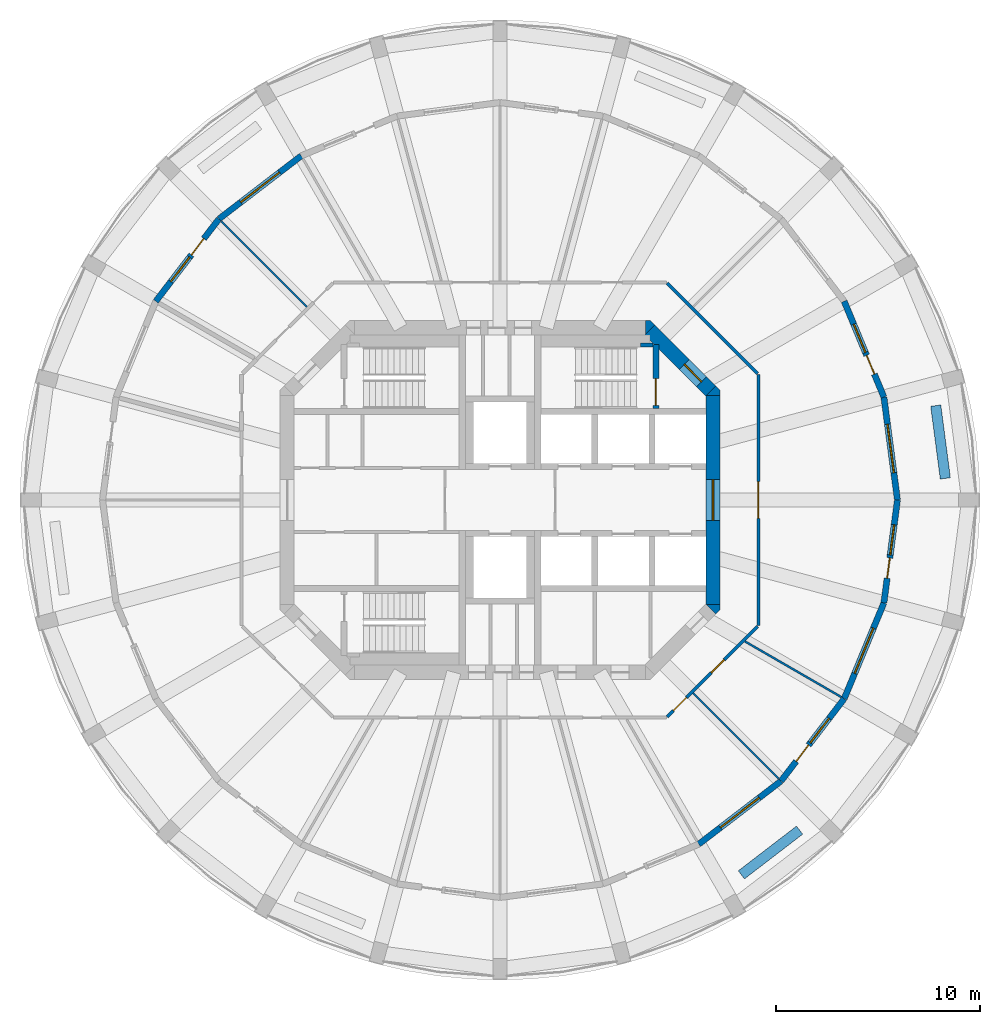
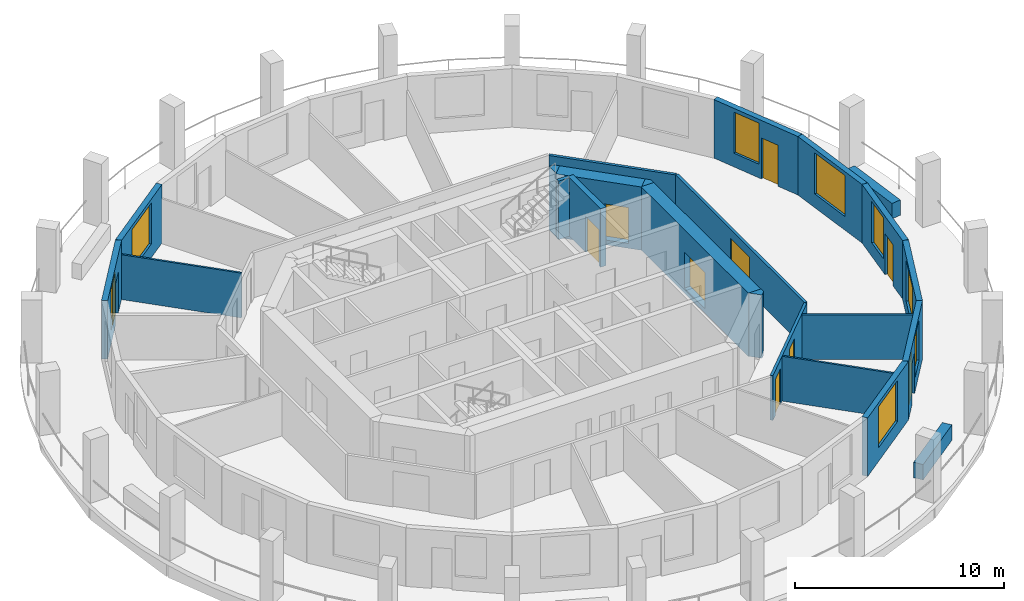
# One storey, part 5 of 8: 23 walls, 10 doors, 8 windows, 18 openings.
"""IFC4 building model written with IfcOpenShell, lengths in metres."""

from ifc_helpers import new_model, si_unit, direction, frame, frame_2d, origin, place, context, subcontext, project, spatial, polyline, rectangle, outline, extrude, material, layer, layer_set, type_object, element, fill, save


model = new_model("IFC4")

# Units and contexts
model_context = context("Model", 3, precision=1e-05, world=origin(), true_north=direction((0.0, 1.0)))
body_context = subcontext(model_context, "Body", "Model", "MODEL_VIEW")
ifc_project = project(units=[si_unit("LENGTHUNIT", "METRE"), si_unit("AREAUNIT", "SQUARE_METRE"), si_unit("VOLUMEUNIT", "CUBIC_METRE"), si_unit("PLANEANGLEUNIT", "RADIAN"), si_unit("MASSUNIT", "GRAM", prefix="KILO")], contexts=[model_context])

# Site, building, storey
site_placement = place(None, origin())
site = spatial("IfcSite", under=ifc_project, at=site_placement, CompositionType="ELEMENT")
building_placement = place(site_placement, origin())
building = spatial("IfcBuilding", under=site, at=building_placement, Name="Torre Triforio", CompositionType="ELEMENT")
storey_placement = place(building_placement, frame((0.0, 0.0, 207.60009765625)))
storey = spatial("IfcBuildingStorey", under=building, at=storey_placement, Name="L47", CompositionType="ELEMENT", Elevation=207.60009765625)

# Wall, opening, door
ifc_material_1 = material(Name="Concrete C50", Category="concrete")
ifc_layer_1 = layer(ifc_material_1, 0.699951171875)
ifc_layer_set_1 = layer_set([ifc_layer_1], Name="Concrete C50")
wall_type_1 = type_object("IfcWallType", Name="Core wall 700 mm C50 EI 120", PredefinedType="SHEAR", material=ifc_layer_set_1)
wall_1_placement = place(storey_placement, frame((10.449951171875, -5.1298828125, -0.280029296875), z_axis=(0.0, 0.0, 1.0), x_axis=(0.0, 1.0, 0.0)))
wall_1 = element("IfcWall", 1, at=wall_1_placement, inside=storey, type_object=wall_type_1, Name="Core wall", PredefinedType="SHEAR", context=body_context, shape_type="SweptSolid", body=[
    extrude(rectangle(XDim=10.259765625, YDim=0.699951171875, at=frame_2d((5.1298828125, 0.0))), origin(), (0.0, 0.0, 1.0), 3.699951171875),
])
opening_1_placement = place(wall_1_placement, frame((4.1298828125, 0.0, 0.280029296875)))
opening_1 = element("IfcOpeningElement", 2, at=opening_1_placement, cuts=wall_1, Name="Opening E-RING", PredefinedType="OPENING", context=body_context, shape_type="SweptSolid", body=[
    extrude(rectangle(XDim=2.0, YDim=2.10009765625, at=frame_2d((1.0, 1.050048828125))), frame((0.0, 0.35986328125, 0.0), z_axis=(0.0, -1.0, 0.0), x_axis=(1.0, 0.0, 0.0)), (0.0, 0.0, 1.0), 0.719970703125),
])
ifc_material_2 = material(Name="Hollow metal fire door leaf")
door_type_1 = type_object("IfcDoorType", Name="Lobby door 2000 x 2100 EI 60", OperationType="DOUBLE_DOOR_SINGLE_SWING", PredefinedType="DOOR", material=ifc_material_2)
door_1_placement = place(opening_1_placement, origin())
door_1 = element("IfcDoor", 3, at=door_1_placement, inside=storey, type_object=door_type_1, Name="Core door E-RING", OperationType="DOUBLE_DOOR_SINGLE_SWING", OverallHeight=2.10009765625, OverallWidth=2.0, PredefinedType="DOOR", context=body_context, shape_type="SweptSolid", body=[
    extrude(rectangle(XDim=2.0, YDim=2.10009765625, at=frame_2d((1.0, 1.050048828125))), frame((0.0, 0.02490234375, 0.0), z_axis=(0.0, -1.0, 0.0), x_axis=(1.0, 0.0, 0.0)), (0.0, 0.0, 1.0), 0.050048828125),
])
fill(opening_1, door_1)

wall_2_placement = place(storey_placement, frame((7.347412109375, 8.347412109375, -0.280029296875), z_axis=(0.0, 0.0, 1.0), x_axis=(0.707106781187, -0.707106781187, 0.0)))
wall_2 = element("IfcWall", 4, at=wall_2_placement, inside=storey, type_object=wall_type_1, Name="Core wall", PredefinedType="SHEAR", context=body_context, shape_type="SweptSolid", body=[
    extrude(rectangle(XDim=4.24267578125, YDim=0.699951171875, at=frame_2d((2.121337890625, 0.0))), origin(), (0.0, 0.0, 1.0), 3.699951171875),
])
opening_2_placement = place(wall_2_placement, frame((2.392578125, 0.0, 0.280029296875)))
opening_2 = element("IfcOpeningElement", 5, at=opening_2_placement, cuts=wall_2, Name="Opening ST2-EXIT", PredefinedType="OPENING", context=body_context, shape_type="SweptSolid", body=[
    extrude(rectangle(XDim=1.199951171875, YDim=2.10009765625, at=frame_2d((0.60009765625, 1.050048828125))), frame((0.0, 0.35986328125, 0.0), z_axis=(0.0, -1.0, 0.0), x_axis=(1.0, 0.0, 0.0)), (0.0, 0.0, 1.0), 0.719970703125),
])
door_type_2 = type_object("IfcDoorType", Name="Stair lobby door 1200 x 2100 EI 60", OperationType="NOTDEFINED", PredefinedType="DOOR", material=ifc_material_2)
door_2_placement = place(opening_2_placement, origin())
door_2 = element("IfcDoor", 6, at=door_2_placement, inside=storey, type_object=door_type_2, Name="Core door ST2-EXIT", OperationType="SINGLE_SWING_RIGHT", OverallHeight=2.10009765625, OverallWidth=1.199951171875, PredefinedType="DOOR", context=body_context, shape_type="SweptSolid", body=[
    extrude(rectangle(XDim=1.199951171875, YDim=2.10009765625, at=frame_2d((0.60009765625, 1.050048828125))), frame((0.0, 0.02490234375, 0.0), z_axis=(0.0, -1.0, 0.0), x_axis=(1.0, 0.0, 0.0)), (0.0, 0.0, 1.0), 0.050048828125),
])
fill(opening_2, door_2)

# Walls
wall_3_placement = place(storey_placement, frame((0.0, 0.0, -0.280029296875)))
element("IfcWall", 7, at=wall_3_placement, inside=storey, type_object=wall_type_1, Name="Core wall", PredefinedType="SHEAR", context=body_context, shape_type="SweptSolid", body=[
    extrude(outline(polyline([(10.800048828125, -5.389892578125), (10.594970703125, -5.594970703125), (10.594970703125, -5.594970703125), (10.594970703125, -5.594970703125), (10.1298828125, -5.1298828125), (10.800048828125, -5.1298828125), (10.800048828125, -5.1298828125), (10.800048828125, -5.389892578125)])), origin(), (0.0, 0.0, 1.0), 3.699951171875),
])
wall_4_placement = place(storey_placement, frame((0.0, 0.0, -0.280029296875)))
element("IfcWall", 8, at=wall_4_placement, inside=storey, type_object=wall_type_1, Name="Core wall", PredefinedType="SHEAR", context=body_context, shape_type="SweptSolid", body=[
    extrude(outline(polyline([(10.800048828125, 5.389892578125), (10.800048828125, 5.1298828125), (10.800048828125, 5.1298828125), (10.1298828125, 5.1298828125), (10.594970703125, 5.594970703125), (10.594970703125, 5.594970703125), (10.594970703125, 5.594970703125), (10.800048828125, 5.389892578125)])), origin(), (0.0, 0.0, 1.0), 3.699951171875),
])
wall_5_placement = place(storey_placement, frame((0.0, 0.0, -0.280029296875)))
element("IfcWall", 9, at=wall_5_placement, inside=storey, type_object=wall_type_1, Name="Core wall", PredefinedType="SHEAR", context=body_context, shape_type="SweptSolid", body=[
    extrude(outline(polyline([(7.389892578125, 8.800048828125), (7.594970703125, 8.594970703125), (7.594970703125, 8.594970703125), (7.594970703125, 8.594970703125), (7.1298828125, 8.1298828125), (7.1298828125, 8.800048828125), (7.1298828125, 8.800048828125), (7.389892578125, 8.800048828125)])), origin(), (0.0, 0.0, 1.0), 3.699951171875),
])

# Wall, openings, doors
ifc_material_3 = material(Name="Plasterboard on metal studs")
ifc_layer_2 = layer(ifc_material_3, 0.14990234375)
ifc_layer_set_2 = layer_set([ifc_layer_2], Name="Plasterboard on metal studs")
wall_type_2 = type_object("IfcWallType", Name="Corridor and tenancy wall 150 mm EI 60", PredefinedType="PARTITIONING", material=ifc_layer_set_2)
wall_6_placement = place(storey_placement, frame((12.637939453125, -6.20361328125, 0.0), z_axis=(0.0, 0.0, 1.0), x_axis=(-0.707106781187, -0.707106781187, 0.0)))
wall_6 = element("IfcWall", 10, at=wall_6_placement, inside=storey, type_object=wall_type_2, Name="Partition 1", PredefinedType="PARTITIONING", context=body_context, shape_type="SweptSolid", body=[
    extrude(rectangle(XDim=6.27099609375, YDim=0.14990234375, at=frame_2d((3.135498046875, 0.0))), origin(), (0.0, 0.0, 1.0), 2.619873046875),
])
opening_3_placement = place(wall_6_placement, frame((4.935302734375, 0.0, 0.0)))
opening_3 = element("IfcOpeningElement", 11, at=opening_3_placement, cuts=wall_6, Name="Opening O5-06", PredefinedType="OPENING", context=body_context, shape_type="SweptSolid", body=[
    extrude(rectangle(XDim=0.89990234375, YDim=2.10009765625, at=frame_2d((0.449951171875, 1.050048828125))), frame((0.0, 0.0849609375, 0.0), z_axis=(0.0, -1.0, 0.0), x_axis=(1.0, 0.0, 0.0)), (0.0, 0.0, 1.0), 0.169921875),
])
opening_4_placement = place(wall_6_placement, frame((2.313720703125, 0.0, 0.0)))
opening_4 = element("IfcOpeningElement", 12, at=opening_4_placement, cuts=wall_6, Name="Opening O5-07", PredefinedType="OPENING", context=body_context, shape_type="SweptSolid", body=[
    extrude(rectangle(XDim=0.89990234375, YDim=2.10009765625, at=frame_2d((0.449951171875, 1.050048828125))), frame((0.0, 0.0849609375, 0.0), z_axis=(0.0, -1.0, 0.0), x_axis=(1.0, 0.0, 0.0)), (0.0, 0.0, 1.0), 0.169921875),
])
ifc_material_4 = material(Name="Timber", Category="wood")
door_type_3 = type_object("IfcDoorType", Name="Door 900 x 2100 single leaf EI 30", OperationType="NOTDEFINED", PredefinedType="DOOR", material=ifc_material_4)
door_3_placement = place(opening_3_placement, origin())
door_3 = element("IfcDoor", 13, at=door_3_placement, inside=storey, type_object=door_type_3, Name="Door O5-06", OperationType="SINGLE_SWING_RIGHT", OverallHeight=2.10009765625, OverallWidth=0.89990234375, PredefinedType="DOOR", context=body_context, shape_type="SweptSolid", body=[
    extrude(rectangle(XDim=0.89990234375, YDim=2.10009765625, at=frame_2d((0.449951171875, 1.050048828125))), frame((0.0, 0.02490234375, 0.0), z_axis=(0.0, -1.0, 0.0), x_axis=(1.0, 0.0, 0.0)), (0.0, 0.0, 1.0), 0.050048828125),
])
fill(opening_3, door_3)
door_4_placement = place(opening_4_placement, origin())
door_4 = element("IfcDoor", 14, at=door_4_placement, inside=storey, type_object=door_type_3, Name="Door O5-07", OperationType="SINGLE_SWING_LEFT", OverallHeight=2.10009765625, OverallWidth=0.89990234375, PredefinedType="DOOR", context=body_context, shape_type="SweptSolid", body=[
    extrude(rectangle(XDim=0.89990234375, YDim=2.10009765625, at=frame_2d((0.449951171875, 1.050048828125))), frame((0.0, 0.02490234375, 0.0), z_axis=(0.0, -1.0, 0.0), x_axis=(1.0, 0.0, 0.0)), (0.0, 0.0, 1.0), 0.050048828125),
])
fill(opening_4, door_4)

# Wall
wall_7_placement = place(storey_placement, frame((8.20361328125, 10.637939453125, 0.0), z_axis=(0.0, 0.0, 1.0), x_axis=(0.707106781187, -0.707106781187, 0.0)))
element("IfcWall", 15, at=wall_7_placement, inside=storey, type_object=wall_type_2, Name="Partition 9", PredefinedType="PARTITIONING", context=body_context, shape_type="SweptSolid", body=[
    extrude(rectangle(XDim=6.27099609375, YDim=0.14990234375, at=frame_2d((3.135498046875, 0.0))), origin(), (0.0, 0.0, 1.0), 2.619873046875),
])

# Wall, opening, door
wall_8_placement = place(storey_placement, frame((12.675048828125, 6.16650390625, 0.0), z_axis=(0.0, 0.0, 1.0), x_axis=(0.0, -1.0, 0.0)))
wall_8 = element("IfcWall", 16, at=wall_8_placement, inside=storey, type_object=wall_type_2, Name="Partition 10", PredefinedType="PARTITIONING", context=body_context, shape_type="SweptSolid", body=[
    extrude(rectangle(XDim=12.3330078125, YDim=0.14990234375, at=frame_2d((6.16650390625, 0.0))), origin(), (0.0, 0.0, 1.0), 2.619873046875),
])
opening_5_placement = place(wall_8_placement, frame((5.2666015625, 0.0, 0.0)))
opening_5 = element("IfcOpeningElement", 17, at=opening_5_placement, cuts=wall_8, Name="Opening O5-08", PredefinedType="OPENING", context=body_context, shape_type="SweptSolid", body=[
    extrude(rectangle(XDim=1.800048828125, YDim=2.10009765625, at=frame_2d((0.89990234375, 1.050048828125))), frame((0.0, 0.0849609375, 0.0), z_axis=(0.0, -1.0, 0.0), x_axis=(1.0, 0.0, 0.0)), (0.0, 0.0, 1.0), 0.169921875),
])
door_type_4 = type_object("IfcDoorType", Name="Door 1800 x 2100 double leaf EI 30", OperationType="DOUBLE_DOOR_SINGLE_SWING", PredefinedType="DOOR", material=ifc_material_4)
door_5_placement = place(opening_5_placement, origin())
door_5 = element("IfcDoor", 18, at=door_5_placement, inside=storey, type_object=door_type_4, Name="Door O5-08", OperationType="DOUBLE_DOOR_SINGLE_SWING", OverallHeight=2.10009765625, OverallWidth=1.800048828125, PredefinedType="DOOR", context=body_context, shape_type="SweptSolid", body=[
    extrude(rectangle(XDim=1.800048828125, YDim=2.10009765625, at=frame_2d((0.89990234375, 1.050048828125))), frame((0.0, 0.02490234375, 0.0), z_axis=(0.0, -1.0, 0.0), x_axis=(1.0, 0.0, 0.0)), (0.0, 0.0, 1.0), 0.050048828125),
])
fill(opening_5, door_5)

# Walls
ifc_layer_3 = layer(ifc_material_3, 0.10009765625)
ifc_layer_set_3 = layer_set([ifc_layer_3], Name="Plasterboard on metal studs")
wall_type_3 = type_object("IfcWallType", Name="Partition 100 mm board on metal studs", PredefinedType="PARTITIONING", material=ifc_layer_set_3)
for number, where, z_axis, x_axis, name in (
    (19, (-9.473876953125, 9.473876953125, 0.0), (0.0, 0.0, 1.0), (-0.707106781187, 0.707106781187, 0.0), "Partition 16"),
    (20, (9.473876953125, -9.473876953125, 0.0), (0.0, 0.0, 1.0), (0.707106781187, -0.707106781187, 0.0), "Partition 25"),
):
    element("IfcWall", number, at=place(storey_placement, frame(where, z_axis=z_axis, x_axis=x_axis)), inside=storey, type_object=wall_type_3, Name=name, PredefinedType="PARTITIONING", context=body_context, shape_type="SweptSolid", body=[
        extrude(rectangle(XDim=5.9384765625, YDim=0.10009765625, at=frame_2d((2.96923828125, 0.0))), origin(), (0.0, 0.0, 1.0), 2.619873046875),
    ])
wall_9_placement = place(storey_placement, frame((12.025146484375, -6.94287109375, 0.0), z_axis=(0.0, 0.0, 1.0), x_axis=(0.866029712004, -0.499992537871, 0.0)))
element("IfcWall", 21, at=wall_9_placement, inside=storey, type_object=wall_type_3, Name="Partition 26", PredefinedType="PARTITIONING", context=body_context, shape_type="SweptSolid", body=[
    extrude(rectangle(XDim=5.451171875, YDim=0.10009765625, at=frame_2d((2.7255859375, 0.0))), origin(), (0.0, 0.0, 1.0), 2.619873046875),
])
ifc_material_5 = material(Name="Limestone cladding", Category="masonry")
ifc_layer_4 = layer(ifc_material_5, 0.10009765625)
ifc_material_6 = material(Name="Concrete C40", Category="concrete")
ifc_layer_5 = layer(ifc_material_6, 0.39990234375)
ifc_layer_set_4 = layer_set([ifc_layer_4, ifc_layer_5], Name="Limestone cladding / Concrete C40")
wall_type_4 = type_object("IfcWallType", Name="Planter wall 500", PredefinedType="PARAPET", material=ifc_layer_set_4)
wall_10_placement = place(storey_placement, frame((21.848388671875, 1.060791015625, 0.0), z_axis=(0.0, 0.0, 1.0), x_axis=(-0.130475563272, 0.991451525486, 0.0)))
element("IfcWall", 22, at=wall_10_placement, inside=storey, type_object=wall_type_4, Name="Planter L47 bay 01", PredefinedType="PARAPET", context=body_context, shape_type="SweptSolid", body=[
    extrude(rectangle(XDim=3.60009765625, YDim=0.5, at=frame_2d((1.800048828125, 0.0))), origin(), (0.0, 0.0, 1.0), 0.89990234375),
])
wall_11_placement = place(storey_placement, frame((11.843017578125, -18.390869140625, 0.0), z_axis=(0.0, 0.0, 1.0), x_axis=(0.793326845617, 0.608795955984, 0.0)))
element("IfcWall", 23, at=wall_11_placement, inside=storey, type_object=wall_type_4, Name="Planter L47 bay 21", PredefinedType="PARAPET", context=body_context, shape_type="SweptSolid", body=[
    extrude(rectangle(XDim=3.599853515625, YDim=0.5, at=frame_2d((1.7998046875, 0.0))), origin(), (0.0, 0.0, 1.0), 0.89990234375),
])
ifc_layer_6 = layer(ifc_material_1, 0.199951171875)
ifc_layer_set_5 = layer_set([ifc_layer_6], Name="Concrete C50")
wall_type_5 = type_object("IfcWallType", Name="Stair wall 200 mm C50 EI 120", PredefinedType="SHEAR", material=ifc_layer_set_5)
wall_12_placement = place(storey_placement, frame((6.89990234375, 7.60009765625, 0.0), z_axis=(0.0, 0.0, 1.0), x_axis=(1.0, 0.0, 0.0)))
element("IfcWall", 24, at=wall_12_placement, inside=storey, type_object=wall_type_5, Name="Stair wall", PredefinedType="SHEAR", context=body_context, shape_type="SweptSolid", body=[
    extrude(rectangle(XDim=0.60009765625, YDim=0.199951171875, at=frame_2d((0.300048828125, 0.0))), origin(), (0.0, 0.0, 1.0), 3.419921875),
])

# Wall, opening, door
ifc_layer_7 = layer(ifc_material_1, 0.300048828125)
ifc_layer_set_6 = layer_set([ifc_layer_7], Name="Concrete C50")
wall_type_6 = type_object("IfcWallType", Name="Stair wall 300 mm C50 EI 120", PredefinedType="SHEAR", material=ifc_layer_set_6)
wall_13_placement = place(storey_placement, frame((7.64990234375, 4.5, 0.0), z_axis=(0.0, 0.0, 1.0), x_axis=(0.0, 1.0, 0.0)))
wall_13 = element("IfcWall", 25, at=wall_13_placement, inside=storey, type_object=wall_type_6, Name="Stair wall", PredefinedType="SHEAR", context=body_context, shape_type="SweptSolid", body=[
    extrude(rectangle(XDim=3.139892578125, YDim=0.300048828125, at=frame_2d((1.56982421875, 0.0))), origin(), (0.0, 0.0, 1.0), 3.419921875),
])
opening_6_placement = place(wall_13_placement, frame((0.139892578125, 0.0, 0.0)))
opening_6 = element("IfcOpeningElement", 26, at=opening_6_placement, cuts=wall_13, Name="Opening ST2-STA", PredefinedType="OPENING", context=body_context, shape_type="SweptSolid", body=[
    extrude(rectangle(XDim=1.320068359375, YDim=2.10009765625, at=frame_2d((0.66015625, 1.050048828125))), frame((0.0, 0.159912109375, 0.0), z_axis=(0.0, -1.0, 0.0), x_axis=(1.0, 0.0, 0.0)), (0.0, 0.0, 1.0), 0.320068359375),
])
door_type_5 = type_object("IfcDoorType", Name="Stair door 1320 x 2100 EI 90", OperationType="DOUBLE_DOOR_SINGLE_SWING", PredefinedType="DOOR", material=ifc_material_2)
door_6_placement = place(opening_6_placement, origin())
door_6 = element("IfcDoor", 27, at=door_6_placement, inside=storey, type_object=door_type_5, Name="Core door ST2-ST", OperationType="DOUBLE_DOOR_SINGLE_SWING", OverallHeight=2.10009765625, OverallWidth=1.320068359375, PredefinedType="DOOR", context=body_context, shape_type="SweptSolid", body=[
    extrude(rectangle(XDim=1.320068359375, YDim=2.10009765625, at=frame_2d((0.66015625, 1.050048828125))), frame((0.0, 0.02490234375, 0.0), z_axis=(0.0, -1.0, 0.0), x_axis=(1.0, 0.0, 0.0)), (0.0, 0.0, 1.0), 0.050048828125),
])
fill(opening_6, door_6)

# Wall, opening, window
ifc_layer_8 = layer(ifc_material_5, 0.10009765625)
ifc_layer_9 = layer(ifc_material_6, 0.199951171875)
ifc_layer_set_7 = layer_set([ifc_layer_8, ifc_layer_9], Name="Limestone cladding / Concrete C40")
wall_type_7 = type_object("IfcWallType", Name="Stone-faced composite wall 300", PredefinedType="STANDARD", material=ifc_layer_set_7)
wall_14_placement = place(storey_placement, frame((19.5, 0.0, 0.0), z_axis=(0.0, 0.0, 1.0), x_axis=(-0.130495451964, 0.99144890792, 0.0)))
wall_14 = element("IfcWall", 28, at=wall_14_placement, inside=storey, type_object=wall_type_7, Name="External wall L47 bay 01", PredefinedType="STANDARD", context=body_context, shape_type="SweptSolid", body=[
    extrude(rectangle(XDim=5.090576171875, YDim=0.300048828125, at=frame_2d((2.54541015625, 0.0))), origin(), (0.0, 0.0, 1.0), 3.419921875),
])
opening_7_placement = place(wall_14_placement, frame((1.34521484375, 0.0, 0.800048828125)))
opening_7 = element("IfcOpeningElement", 29, at=opening_7_placement, cuts=wall_14, Name="Opening O5-W01", PredefinedType="OPENING", context=body_context, shape_type="SweptSolid", body=[
    extrude(rectangle(XDim=2.39990234375, YDim=2.39990234375, at=frame_2d((1.199951171875, 1.199951171875))), frame((0.0, 0.159912109375, 0.0), z_axis=(0.0, -1.0, 0.0), x_axis=(1.0, 0.0, 0.0)), (0.0, 0.0, 1.0), 0.320068359375),
])
ifc_material_7 = material(Name="Aluminium frame with clear double glazing", Category="aluminium")
window_type_1 = type_object("IfcWindowType", Name="Punched window 2400 x 2400", PartitioningType="DOUBLE_PANEL_VERTICAL", PredefinedType="WINDOW", material=ifc_material_7)
window_1_placement = place(opening_7_placement, origin())
window_1 = element("IfcWindow", 30, at=window_1_placement, inside=storey, type_object=window_type_1, Name="Window EWN4 L47 bay 01", OverallHeight=2.39990234375, OverallWidth=2.39990234375, PartitioningType="SINGLE_PANEL", PredefinedType="WINDOW", context=body_context, shape_type="SweptSolid", body=[
    extrude(rectangle(XDim=2.39990234375, YDim=2.39990234375, at=frame_2d((1.199951171875, 1.199951171875))), frame((0.0, 0.030029296875, 0.0), z_axis=(0.0, -1.0, 0.0), x_axis=(1.0, 0.0, 0.0)), (0.0, 0.0, 1.0), 0.06005859375),
])
fill(opening_7, window_1)

# Wall, openings, door, window
wall_15_placement = place(storey_placement, frame((18.835693359375, 5.047119140625, 0.0), z_axis=(0.0, 0.0, 1.0), x_axis=(-0.382724538613, 0.923862504675, 0.0)))
wall_15 = element("IfcWall", 31, at=wall_15_placement, inside=storey, type_object=wall_type_7, Name="External wall L47 bay 02", PredefinedType="STANDARD", context=body_context, shape_type="SweptSolid", body=[
    extrude(rectangle(XDim=5.090576171875, YDim=0.300048828125, at=frame_2d((2.54541015625, 0.0))), origin(), (0.0, 0.0, 1.0), 3.419921875),
])
opening_8_placement = place(wall_15_placement, frame((1.22021484375, 0.0, 0.0)))
opening_8 = element("IfcOpeningElement", 32, at=opening_8_placement, cuts=wall_15, Name="Opening O5-D02", PredefinedType="OPENING", context=body_context, shape_type="SweptSolid", body=[
    extrude(rectangle(XDim=1.0, YDim=2.39990234375, at=frame_2d((0.5, 1.199951171875))), frame((0.0, 0.159912109375, 0.0), z_axis=(0.0, -1.0, 0.0), x_axis=(1.0, 0.0, 0.0)), (0.0, 0.0, 1.0), 0.320068359375),
])
opening_9_placement = place(wall_15_placement, frame((2.370361328125, 0.0, 0.800048828125)))
opening_9 = element("IfcOpeningElement", 33, at=opening_9_placement, cuts=wall_15, Name="Opening O5-W02A", PredefinedType="OPENING", context=body_context, shape_type="SweptSolid", body=[
    extrude(rectangle(XDim=1.5, YDim=2.39990234375, at=frame_2d((0.75, 1.199951171875))), frame((0.0, 0.159912109375, 0.0), z_axis=(0.0, -1.0, 0.0), x_axis=(1.0, 0.0, 0.0)), (0.0, 0.0, 1.0), 0.320068359375),
])
door_type_6 = type_object("IfcDoorType", Name="Loggia door 1000 x 2400", OperationType="NOTDEFINED", PredefinedType="DOOR", material=ifc_material_7)
door_7_placement = place(opening_8_placement, origin())
door_7 = element("IfcDoor", 34, at=door_7_placement, inside=storey, type_object=door_type_6, Name="Loggia door L47 bay 02", OperationType="SINGLE_SWING_LEFT", OverallHeight=2.39990234375, OverallWidth=1.0, PredefinedType="DOOR", context=body_context, shape_type="SweptSolid", body=[
    extrude(rectangle(XDim=1.0, YDim=2.39990234375, at=frame_2d((0.5, 1.199951171875))), frame((0.0, 0.02490234375, 0.0), z_axis=(0.0, -1.0, 0.0), x_axis=(1.0, 0.0, 0.0)), (0.0, 0.0, 1.0), 0.050048828125),
])
fill(opening_8, door_7)
window_type_2 = type_object("IfcWindowType", Name="Side window 1500 x 2400", PartitioningType="SINGLE_PANEL", PredefinedType="WINDOW", material=ifc_material_7)
window_2_placement = place(opening_9_placement, origin())
window_2 = element("IfcWindow", 35, at=window_2_placement, inside=storey, type_object=window_type_2, Name="Side window EWN14 L47 bay 02", OverallHeight=2.39990234375, OverallWidth=1.5, PartitioningType="SINGLE_PANEL", PredefinedType="WINDOW", context=body_context, shape_type="SweptSolid", body=[
    extrude(rectangle(XDim=1.5, YDim=2.39990234375, at=frame_2d((0.75, 1.199951171875))), frame((0.0, 0.030029296875, 0.0), z_axis=(0.0, -1.0, 0.0), x_axis=(1.0, 0.0, 0.0)), (0.0, 0.0, 1.0), 0.06005859375),
])
fill(opening_9, window_2)

# Wall, opening, window
wall_16_placement = place(storey_placement, frame((-9.75, 16.887451171875, 0.0), z_axis=(0.0, 0.0, 1.0), x_axis=(-0.79335619014, -0.608757714995, 0.0)))
wall_16 = element("IfcWall", 36, at=wall_16_placement, inside=storey, type_object=wall_type_7, Name="External wall L47 bay 09", PredefinedType="STANDARD", context=body_context, shape_type="SweptSolid", body=[
    extrude(rectangle(XDim=5.090576171875, YDim=0.300048828125, at=frame_2d((2.54541015625, 0.0))), origin(), (0.0, 0.0, 1.0), 3.419921875),
])
opening_10_placement = place(wall_16_placement, frame((1.34521484375, 0.0, 0.800048828125)))
opening_10 = element("IfcOpeningElement", 37, at=opening_10_placement, cuts=wall_16, Name="Opening O5-W09", PredefinedType="OPENING", context=body_context, shape_type="SweptSolid", body=[
    extrude(rectangle(XDim=2.39990234375, YDim=2.39990234375, at=frame_2d((1.199951171875, 1.199951171875))), frame((0.0, 0.159912109375, 0.0), z_axis=(0.0, -1.0, 0.0), x_axis=(1.0, 0.0, 0.0)), (0.0, 0.0, 1.0), 0.320068359375),
])
window_3_placement = place(opening_10_placement, origin())
window_3 = element("IfcWindow", 38, at=window_3_placement, inside=storey, type_object=window_type_1, Name="Window EWN4 L47 bay 09", OverallHeight=2.39990234375, OverallWidth=2.39990234375, PartitioningType="SINGLE_PANEL", PredefinedType="WINDOW", context=body_context, shape_type="SweptSolid", body=[
    extrude(rectangle(XDim=2.39990234375, YDim=2.39990234375, at=frame_2d((1.199951171875, 1.199951171875))), frame((0.0, 0.030029296875, 0.0), z_axis=(0.0, -1.0, 0.0), x_axis=(1.0, 0.0, 0.0)), (0.0, 0.0, 1.0), 0.06005859375),
])
fill(opening_10, window_3)

# Wall, openings, door, window
wall_17_placement = place(storey_placement, frame((-13.78857421875, 13.78857421875, 0.0), z_axis=(0.0, 0.0, 1.0), x_axis=(-0.608757714995, -0.79335619014, 0.0)))
wall_17 = element("IfcWall", 39, at=wall_17_placement, inside=storey, type_object=wall_type_7, Name="External wall L47 bay 10", PredefinedType="STANDARD", context=body_context, shape_type="SweptSolid", body=[
    extrude(rectangle(XDim=5.090576171875, YDim=0.300048828125, at=frame_2d((2.54541015625, 0.0))), origin(), (0.0, 0.0, 1.0), 3.419921875),
])
opening_11_placement = place(wall_17_placement, frame((1.22021484375, 0.0, 0.0)))
opening_11 = element("IfcOpeningElement", 40, at=opening_11_placement, cuts=wall_17, Name="Opening O5-D10", PredefinedType="OPENING", context=body_context, shape_type="SweptSolid", body=[
    extrude(rectangle(XDim=1.0, YDim=2.39990234375, at=frame_2d((0.5, 1.199951171875))), frame((0.0, 0.159912109375, 0.0), z_axis=(0.0, -1.0, 0.0), x_axis=(1.0, 0.0, 0.0)), (0.0, 0.0, 1.0), 0.320068359375),
])
opening_12_placement = place(wall_17_placement, frame((2.370361328125, 0.0, 0.800048828125)))
opening_12 = element("IfcOpeningElement", 41, at=opening_12_placement, cuts=wall_17, Name="Opening O5-W10A", PredefinedType="OPENING", context=body_context, shape_type="SweptSolid", body=[
    extrude(rectangle(XDim=1.5, YDim=2.39990234375, at=frame_2d((0.75, 1.199951171875))), frame((0.0, 0.159912109375, 0.0), z_axis=(0.0, -1.0, 0.0), x_axis=(1.0, 0.0, 0.0)), (0.0, 0.0, 1.0), 0.320068359375),
])
door_8_placement = place(opening_11_placement, origin())
door_8 = element("IfcDoor", 42, at=door_8_placement, inside=storey, type_object=door_type_6, Name="Loggia door L47 bay 10", OperationType="SINGLE_SWING_LEFT", OverallHeight=2.39990234375, OverallWidth=1.0, PredefinedType="DOOR", context=body_context, shape_type="SweptSolid", body=[
    extrude(rectangle(XDim=1.0, YDim=2.39990234375, at=frame_2d((0.5, 1.199951171875))), frame((0.0, 0.02490234375, 0.0), z_axis=(0.0, -1.0, 0.0), x_axis=(1.0, 0.0, 0.0)), (0.0, 0.0, 1.0), 0.050048828125),
])
fill(opening_11, door_8)
window_4_placement = place(opening_12_placement, origin())
window_4 = element("IfcWindow", 43, at=window_4_placement, inside=storey, type_object=window_type_2, Name="Side window EWN14 L47 bay 10", OverallHeight=2.39990234375, OverallWidth=1.5, PartitioningType="SINGLE_PANEL", PredefinedType="WINDOW", context=body_context, shape_type="SweptSolid", body=[
    extrude(rectangle(XDim=1.5, YDim=2.39990234375, at=frame_2d((0.75, 1.199951171875))), frame((0.0, 0.030029296875, 0.0), z_axis=(0.0, -1.0, 0.0), x_axis=(1.0, 0.0, 0.0)), (0.0, 0.0, 1.0), 0.06005859375),
])
fill(opening_12, window_4)

# Wall, opening, window
wall_18_placement = place(storey_placement, frame((9.75, -16.887451171875, 0.0), z_axis=(0.0, 0.0, 1.0), x_axis=(0.79335619014, 0.608757714995, 0.0)))
wall_18 = element("IfcWall", 44, at=wall_18_placement, inside=storey, type_object=wall_type_7, Name="External wall L47 bay 21", PredefinedType="STANDARD", context=body_context, shape_type="SweptSolid", body=[
    extrude(rectangle(XDim=5.090576171875, YDim=0.300048828125, at=frame_2d((2.54541015625, 0.0))), origin(), (0.0, 0.0, 1.0), 3.419921875),
])
opening_13_placement = place(wall_18_placement, frame((1.34521484375, 0.0, 0.800048828125)))
opening_13 = element("IfcOpeningElement", 45, at=opening_13_placement, cuts=wall_18, Name="Opening O5-W21", PredefinedType="OPENING", context=body_context, shape_type="SweptSolid", body=[
    extrude(rectangle(XDim=2.39990234375, YDim=2.39990234375, at=frame_2d((1.199951171875, 1.199951171875))), frame((0.0, 0.159912109375, 0.0), z_axis=(0.0, -1.0, 0.0), x_axis=(1.0, 0.0, 0.0)), (0.0, 0.0, 1.0), 0.320068359375),
])
window_5_placement = place(opening_13_placement, origin())
window_5 = element("IfcWindow", 46, at=window_5_placement, inside=storey, type_object=window_type_1, Name="Window EWN4 L47 bay 21", OverallHeight=2.39990234375, OverallWidth=2.39990234375, PartitioningType="SINGLE_PANEL", PredefinedType="WINDOW", context=body_context, shape_type="SweptSolid", body=[
    extrude(rectangle(XDim=2.39990234375, YDim=2.39990234375, at=frame_2d((1.199951171875, 1.199951171875))), frame((0.0, 0.030029296875, 0.0), z_axis=(0.0, -1.0, 0.0), x_axis=(1.0, 0.0, 0.0)), (0.0, 0.0, 1.0), 0.06005859375),
])
fill(opening_13, window_5)

# Wall, openings, door, window
wall_19_placement = place(storey_placement, frame((13.78857421875, -13.78857421875, 0.0), z_axis=(0.0, 0.0, 1.0), x_axis=(0.608757714995, 0.79335619014, 0.0)))
wall_19 = element("IfcWall", 47, at=wall_19_placement, inside=storey, type_object=wall_type_7, Name="External wall L47 bay 22", PredefinedType="STANDARD", context=body_context, shape_type="SweptSolid", body=[
    extrude(rectangle(XDim=5.090576171875, YDim=0.300048828125, at=frame_2d((2.54541015625, 0.0))), origin(), (0.0, 0.0, 1.0), 3.419921875),
])
opening_14_placement = place(wall_19_placement, frame((1.22021484375, 0.0, 0.0)))
opening_14 = element("IfcOpeningElement", 48, at=opening_14_placement, cuts=wall_19, Name="Opening O5-D22", PredefinedType="OPENING", context=body_context, shape_type="SweptSolid", body=[
    extrude(rectangle(XDim=1.0, YDim=2.39990234375, at=frame_2d((0.5, 1.199951171875))), frame((0.0, 0.159912109375, 0.0), z_axis=(0.0, -1.0, 0.0), x_axis=(1.0, 0.0, 0.0)), (0.0, 0.0, 1.0), 0.320068359375),
])
opening_15_placement = place(wall_19_placement, frame((2.370361328125, 0.0, 0.800048828125)))
opening_15 = element("IfcOpeningElement", 49, at=opening_15_placement, cuts=wall_19, Name="Opening O5-W22A", PredefinedType="OPENING", context=body_context, shape_type="SweptSolid", body=[
    extrude(rectangle(XDim=1.5, YDim=2.39990234375, at=frame_2d((0.75, 1.199951171875))), frame((0.0, 0.159912109375, 0.0), z_axis=(0.0, -1.0, 0.0), x_axis=(1.0, 0.0, 0.0)), (0.0, 0.0, 1.0), 0.320068359375),
])
door_9_placement = place(opening_14_placement, origin())
door_9 = element("IfcDoor", 50, at=door_9_placement, inside=storey, type_object=door_type_6, Name="Loggia door L47 bay 22", OperationType="SINGLE_SWING_LEFT", OverallHeight=2.39990234375, OverallWidth=1.0, PredefinedType="DOOR", context=body_context, shape_type="SweptSolid", body=[
    extrude(rectangle(XDim=1.0, YDim=2.39990234375, at=frame_2d((0.5, 1.199951171875))), frame((0.0, 0.02490234375, 0.0), z_axis=(0.0, -1.0, 0.0), x_axis=(1.0, 0.0, 0.0)), (0.0, 0.0, 1.0), 0.050048828125),
])
fill(opening_14, door_9)
window_6_placement = place(opening_15_placement, origin())
window_6 = element("IfcWindow", 51, at=window_6_placement, inside=storey, type_object=window_type_2, Name="Side window EWN14 L47 bay 22", OverallHeight=2.39990234375, OverallWidth=1.5, PartitioningType="SINGLE_PANEL", PredefinedType="WINDOW", context=body_context, shape_type="SweptSolid", body=[
    extrude(rectangle(XDim=1.5, YDim=2.39990234375, at=frame_2d((0.75, 1.199951171875))), frame((0.0, 0.030029296875, 0.0), z_axis=(0.0, -1.0, 0.0), x_axis=(1.0, 0.0, 0.0)), (0.0, 0.0, 1.0), 0.06005859375),
])
fill(opening_15, window_6)

# Wall, opening, window
wall_20_placement = place(storey_placement, frame((16.887451171875, -9.75, 0.0), z_axis=(0.0, 0.0, 1.0), x_axis=(0.382724538613, 0.923862504675, 0.0)))
wall_20 = element("IfcWall", 52, at=wall_20_placement, inside=storey, type_object=wall_type_7, Name="External wall L47 bay 23", PredefinedType="STANDARD", context=body_context, shape_type="SweptSolid", body=[
    extrude(rectangle(XDim=5.090576171875, YDim=0.300048828125, at=frame_2d((2.54541015625, 0.0))), origin(), (0.0, 0.0, 1.0), 3.419921875),
])
opening_16_placement = place(wall_20_placement, frame((1.34521484375, 0.0, 0.800048828125)))
opening_16 = element("IfcOpeningElement", 53, at=opening_16_placement, cuts=wall_20, Name="Opening O5-W23", PredefinedType="OPENING", context=body_context, shape_type="SweptSolid", body=[
    extrude(rectangle(XDim=2.39990234375, YDim=2.39990234375, at=frame_2d((1.199951171875, 1.199951171875))), frame((0.0, 0.159912109375, 0.0), z_axis=(0.0, -1.0, 0.0), x_axis=(1.0, 0.0, 0.0)), (0.0, 0.0, 1.0), 0.320068359375),
])
window_7_placement = place(opening_16_placement, origin())
window_7 = element("IfcWindow", 54, at=window_7_placement, inside=storey, type_object=window_type_1, Name="Window EWN4 L47 bay 23", OverallHeight=2.39990234375, OverallWidth=2.39990234375, PartitioningType="SINGLE_PANEL", PredefinedType="WINDOW", context=body_context, shape_type="SweptSolid", body=[
    extrude(rectangle(XDim=2.39990234375, YDim=2.39990234375, at=frame_2d((1.199951171875, 1.199951171875))), frame((0.0, 0.030029296875, 0.0), z_axis=(0.0, -1.0, 0.0), x_axis=(1.0, 0.0, 0.0)), (0.0, 0.0, 1.0), 0.06005859375),
])
fill(opening_16, window_7)

# Wall, openings, door, window
wall_21_placement = place(storey_placement, frame((18.835693359375, -5.047119140625, 0.0), z_axis=(0.0, 0.0, 1.0), x_axis=(0.130495451964, 0.99144890792, 0.0)))
wall_21 = element("IfcWall", 55, at=wall_21_placement, inside=storey, type_object=wall_type_7, Name="External wall L47 bay 24", PredefinedType="STANDARD", context=body_context, shape_type="SweptSolid", body=[
    extrude(rectangle(XDim=5.090576171875, YDim=0.300048828125, at=frame_2d((2.54541015625, 0.0))), origin(), (0.0, 0.0, 1.0), 3.419921875),
])
opening_17_placement = place(wall_21_placement, frame((1.22021484375, 0.0, 0.0)))
opening_17 = element("IfcOpeningElement", 56, at=opening_17_placement, cuts=wall_21, Name="Opening O5-D24", PredefinedType="OPENING", context=body_context, shape_type="SweptSolid", body=[
    extrude(rectangle(XDim=1.0, YDim=2.39990234375, at=frame_2d((0.5, 1.199951171875))), frame((0.0, 0.159912109375, 0.0), z_axis=(0.0, -1.0, 0.0), x_axis=(1.0, 0.0, 0.0)), (0.0, 0.0, 1.0), 0.320068359375),
])
opening_18_placement = place(wall_21_placement, frame((2.370361328125, 0.0, 0.800048828125)))
opening_18 = element("IfcOpeningElement", 57, at=opening_18_placement, cuts=wall_21, Name="Opening O5-W24A", PredefinedType="OPENING", context=body_context, shape_type="SweptSolid", body=[
    extrude(rectangle(XDim=1.5, YDim=2.39990234375, at=frame_2d((0.75, 1.199951171875))), frame((0.0, 0.159912109375, 0.0), z_axis=(0.0, -1.0, 0.0), x_axis=(1.0, 0.0, 0.0)), (0.0, 0.0, 1.0), 0.320068359375),
])
door_10_placement = place(opening_17_placement, origin())
door_10 = element("IfcDoor", 58, at=door_10_placement, inside=storey, type_object=door_type_6, Name="Loggia door L47 bay 24", OperationType="SINGLE_SWING_LEFT", OverallHeight=2.39990234375, OverallWidth=1.0, PredefinedType="DOOR", context=body_context, shape_type="SweptSolid", body=[
    extrude(rectangle(XDim=1.0, YDim=2.39990234375, at=frame_2d((0.5, 1.199951171875))), frame((0.0, 0.02490234375, 0.0), z_axis=(0.0, -1.0, 0.0), x_axis=(1.0, 0.0, 0.0)), (0.0, 0.0, 1.0), 0.050048828125),
])
fill(opening_17, door_10)
window_8_placement = place(opening_18_placement, origin())
window_8 = element("IfcWindow", 59, at=window_8_placement, inside=storey, type_object=window_type_2, Name="Side window EWN14 L47 bay 24", OverallHeight=2.39990234375, OverallWidth=1.5, PartitioningType="SINGLE_PANEL", PredefinedType="WINDOW", context=body_context, shape_type="SweptSolid", body=[
    extrude(rectangle(XDim=1.5, YDim=2.39990234375, at=frame_2d((0.75, 1.199951171875))), frame((0.0, 0.030029296875, 0.0), z_axis=(0.0, -1.0, 0.0), x_axis=(1.0, 0.0, 0.0)), (0.0, 0.0, 1.0), 0.06005859375),
])
fill(opening_18, window_8)

save(model, "model.ifc")
